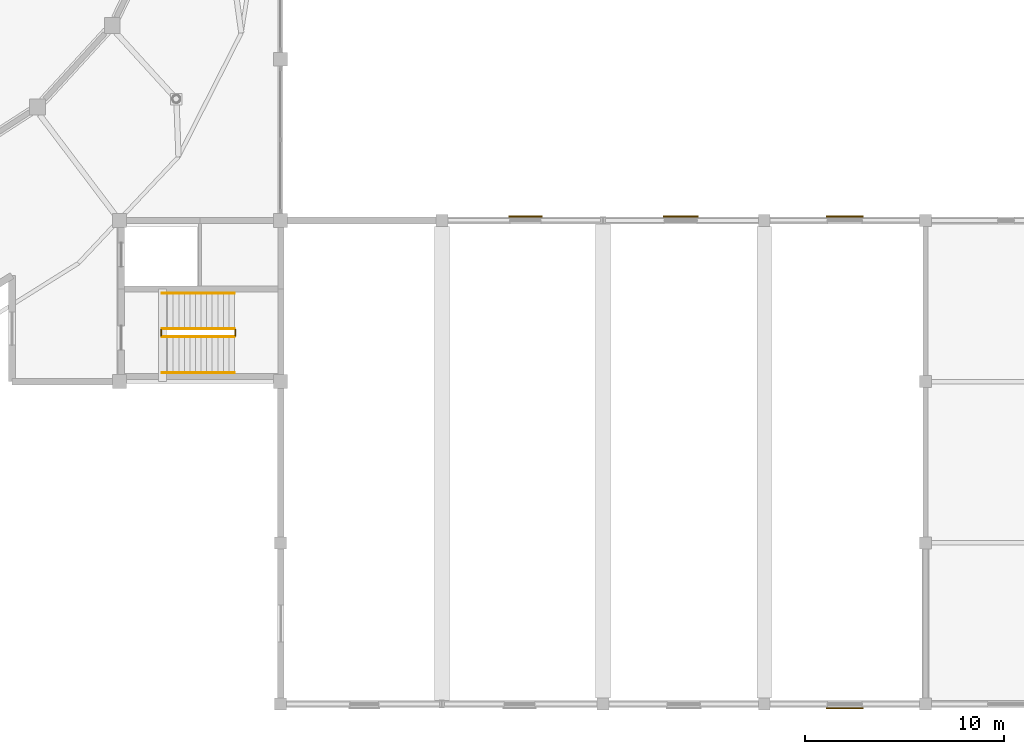
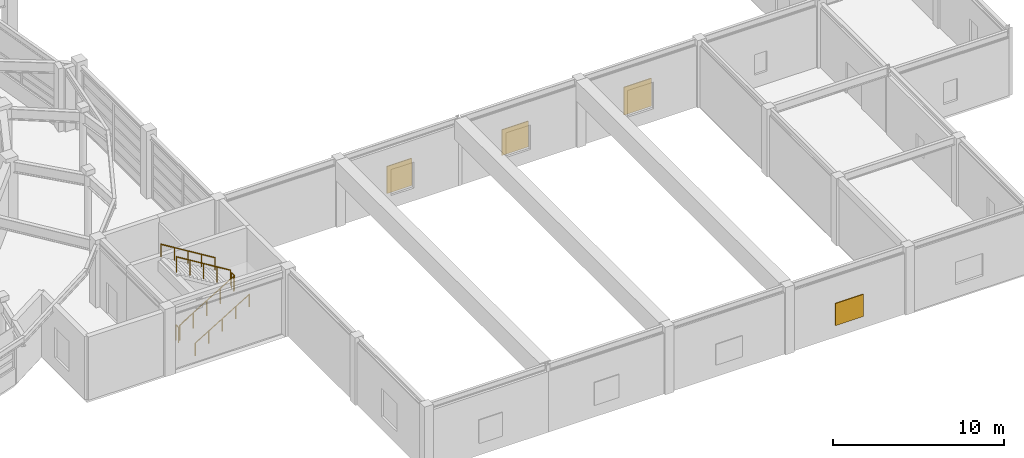
# One storey, part 51 of 58: 6 railings, 4 shading devices.
"""IFC4 building model written with IfcOpenShell, lengths in metres."""

from ifc_helpers import new_model, si_unit, direction, frame, origin, origin_2d, place, context, subcontext, project, spatial, rectangle, circle, extrude, material, layer, layer_set, type_object, element, save


model = new_model("IFC4")

# Units and contexts
model_context = context("Model", 3, precision=1e-05, world=origin(), true_north=direction((0.0, 1.0)))
body_context = subcontext(model_context, "Body", "Model", "MODEL_VIEW")
ifc_project = project(units=[si_unit("LENGTHUNIT", "METRE"), si_unit("AREAUNIT", "SQUARE_METRE"), si_unit("VOLUMEUNIT", "CUBIC_METRE"), si_unit("PLANEANGLEUNIT", "RADIAN"), si_unit("MASSUNIT", "GRAM", prefix="KILO")], contexts=[model_context])

# Site, building, storey
site_placement = place(None, origin())
site = spatial("IfcSite", under=ifc_project, at=site_placement, CompositionType="ELEMENT")
building_placement = place(site_placement, origin())
building = spatial("IfcBuilding", under=site, at=building_placement, Name="Parian Resonance Hall", CompositionType="ELEMENT")
storey_placement = place(building_placement, frame((0.0, 0.0, 10.199951171875)))
storey = spatial("IfcBuildingStorey", under=building, at=storey_placement, Name="L02", CompositionType="ELEMENT", Elevation=10.199951171875)

# Railings
ifc_material_1 = material(Name="Patinated bronze whiplash metalwork")
railing_type_1 = type_object("IfcRailingType", Name="RAIL-STAIR-GRD-1100", PredefinedType="GUARDRAIL", material=ifc_material_1)
railing_1_placement = place(storey_placement, frame((66.93994140625, 18.449951171875, 0.17138671875)))
element("IfcRailing", 1, at=railing_1_placement, inside=storey, type_object=railing_type_1, Name="L02 ST-03 stair guard 1", PredefinedType="GUARDRAIL", context=body_context, shape_type="SweptSolid", body=[
    extrude(circle(Radius=0.02392578125, at=origin_2d()), frame((0.0, 0.0, 1.076171875), z_axis=(0.852840387347, 0.0, 0.522171689878), x_axis=(0.0, 1.0, 0.0)), (0.0, 0.0, 1.0), 4.268310546875),
    extrude(circle(Radius=0.02099609375, at=origin_2d()), origin(), (0.0, 0.0, 1.0), 1.052001953125),
    extrude(circle(Radius=0.02099609375, at=origin_2d()), frame((0.91015625, 0.0, 0.55712890625)), (0.0, 0.0, 1.0), 1.052001953125),
    extrude(circle(Radius=0.02099609375, at=origin_2d()), frame((1.820068359375, 0.0, 1.1142578125)), (0.0, 0.0, 1.0), 1.052001953125),
    extrude(circle(Radius=0.02099609375, at=origin_2d()), frame((2.72998046875, 0.0, 1.671630859375)), (0.0, 0.0, 1.0), 1.052001953125),
    extrude(circle(Radius=0.02099609375, at=origin_2d()), frame((3.64013671875, 0.0, 2.228759765625)), (0.0, 0.0, 1.0), 1.052001953125),
])
railing_2_placement = place(storey_placement, frame((70.6298828125, 18.5, 2.400146484375)))
element("IfcRailing", 2, at=railing_2_placement, inside=storey, type_object=railing_type_1, Name="L02 ST-03 stair guard 2", PredefinedType="GUARDRAIL", context=body_context, shape_type="SweptSolid", body=[
    extrude(circle(Radius=0.02392578125, at=origin_2d()), frame((0.0, 0.0, 1.076171875), z_axis=(0.0, 1.0, 0.0), x_axis=(-1.0, 0.0, 0.0)), (0.0, 0.0, 1.0), 0.300048828125),
    extrude(circle(Radius=0.02099609375, at=origin_2d()), origin(), (0.0, 0.0, 1.0), 1.052001953125),
    extrude(circle(Radius=0.02099609375, at=origin_2d()), frame((0.0, 0.300048828125, 0.0)), (0.0, 0.0, 1.0), 1.052001953125),
])
railing_3_placement = place(storey_placement, frame((70.580078125, 18.85009765625, 2.571533203125)))
element("IfcRailing", 3, at=railing_3_placement, inside=storey, type_object=railing_type_1, Name="L02 ST-03 stair guard 3", PredefinedType="GUARDRAIL", context=body_context, shape_type="SweptSolid", body=[
    extrude(circle(Radius=0.02392578125, at=origin_2d()), frame((0.0, 0.0, 1.076171875), z_axis=(-0.852865859571, 0.0, 0.52213008492), x_axis=(0.0, -1.0, 0.0)), (0.0, 0.0, 1.0), 4.26806640625),
    extrude(circle(Radius=0.02099609375, at=origin_2d()), origin(), (0.0, 0.0, 1.0), 1.052001953125),
    extrude(circle(Radius=0.02099609375, at=origin_2d()), frame((-0.91015625, 0.0, 0.55712890625)), (0.0, 0.0, 1.0), 1.052001953125),
    extrude(circle(Radius=0.02099609375, at=origin_2d()), frame((-1.820068359375, 0.0, 1.1142578125)), (0.0, 0.0, 1.0), 1.052001953125),
    extrude(circle(Radius=0.02099609375, at=origin_2d()), frame((-2.72998046875, 0.0, 1.67138671875)), (0.0, 0.0, 1.0), 1.052001953125),
    extrude(circle(Radius=0.02099609375, at=origin_2d()), frame((-3.64013671875, 0.0, 2.228515625)), (0.0, 0.0, 1.0), 1.052001953125),
])
railing_4_placement = place(storey_placement, frame((66.889892578125, 18.5, 0.0)))
element("IfcRailing", 4, at=railing_4_placement, inside=storey, type_object=railing_type_1, Name="L02 ST-03 stair guard 4", PredefinedType="GUARDRAIL", context=body_context, shape_type="SweptSolid", body=[
    extrude(circle(Radius=0.02392578125, at=origin_2d()), frame((0.0, 0.0, 1.076171875), z_axis=(0.0, 1.0, 0.0), x_axis=(-1.0, 0.0, 0.0)), (0.0, 0.0, 1.0), 0.300048828125),
    extrude(circle(Radius=0.02099609375, at=origin_2d()), origin(), (0.0, 0.0, 1.0), 1.052001953125),
    extrude(circle(Radius=0.02099609375, at=origin_2d()), frame((0.0, 0.300048828125, 0.0)), (0.0, 0.0, 1.0), 1.052001953125),
])
ifc_material_2 = material(Name="Patinated bronze whiplash metalwork")
railing_type_2 = type_object("IfcRailingType", Name="RAIL-STAIR-HR-900", PredefinedType="HANDRAIL", material=ifc_material_2)
railing_5_placement = place(storey_placement, frame((66.93994140625, 16.64990234375, 0.17138671875)))
element("IfcRailing", 5, at=railing_5_placement, inside=storey, type_object=railing_type_2, Name="L02 ST-03 stair handrail 1", PredefinedType="HANDRAIL", context=body_context, shape_type="SweptSolid", body=[
    extrude(circle(Radius=0.02392578125, at=origin_2d()), frame((0.0, 0.0, 0.8759765625), z_axis=(0.852840387347, 0.0, 0.522171689878), x_axis=(0.0, 1.0, 0.0)), (0.0, 0.0, 1.0), 4.268310546875),
    extrude(circle(Radius=0.02099609375, at=origin_2d()), origin(), (0.0, 0.0, 1.0), 0.851806640625),
    extrude(circle(Radius=0.02099609375, at=origin_2d()), frame((0.91015625, 0.0, 0.55712890625)), (0.0, 0.0, 1.0), 0.851806640625),
    extrude(circle(Radius=0.02099609375, at=origin_2d()), frame((1.820068359375, 0.0, 1.1142578125)), (0.0, 0.0, 1.0), 0.851806640625),
    extrude(circle(Radius=0.02099609375, at=origin_2d()), frame((2.72998046875, 0.0, 1.671630859375)), (0.0, 0.0, 1.0), 0.851806640625),
    extrude(circle(Radius=0.02099609375, at=origin_2d()), frame((3.64013671875, 0.0, 2.228759765625)), (0.0, 0.0, 1.0), 0.851806640625),
])
railing_6_placement = place(storey_placement, frame((70.580078125, 20.64990234375, 2.571533203125)))
element("IfcRailing", 6, at=railing_6_placement, inside=storey, type_object=railing_type_2, Name="L02 ST-03 stair handrail 2", PredefinedType="HANDRAIL", context=body_context, shape_type="SweptSolid", body=[
    extrude(circle(Radius=0.02392578125, at=origin_2d()), frame((0.0, 0.0, 0.8759765625), z_axis=(-0.852865859571, 0.0, 0.52213008492), x_axis=(0.0, -1.0, 0.0)), (0.0, 0.0, 1.0), 4.26806640625),
    extrude(circle(Radius=0.02099609375, at=origin_2d()), origin(), (0.0, 0.0, 1.0), 0.851806640625),
    extrude(circle(Radius=0.02099609375, at=origin_2d()), frame((-0.91015625, 0.0, 0.55712890625)), (0.0, 0.0, 1.0), 0.851806640625),
    extrude(circle(Radius=0.02099609375, at=origin_2d()), frame((-1.820068359375, 0.0, 1.1142578125)), (0.0, 0.0, 1.0), 0.851806640625),
    extrude(circle(Radius=0.02099609375, at=origin_2d()), frame((-2.72998046875, 0.0, 1.67138671875)), (0.0, 0.0, 1.0), 0.851806640625),
    extrude(circle(Radius=0.02099609375, at=origin_2d()), frame((-3.64013671875, 0.0, 2.228515625)), (0.0, 0.0, 1.0), 0.851806640625),
])

# Shading devices
ifc_material_3 = material(Name="Patinated bronze persiana louver")
ifc_layer = layer(ifc_material_3, 0.06005859375)
ifc_layer_set = layer_set([ifc_layer], Name="Patinated bronze persiana louver")
shading_device_type = type_object("IfcShadingDeviceType", Name="SHD-PERSIANA-SHT", PredefinedType="SHUTTER", material=ifc_layer_set)
shading_device_1_placement = place(storey_placement, frame((85.199951171875, 24.498046875, 0.85986328125), z_axis=(0.0, 0.0, 1.0), x_axis=(1.0, 0.0, 0.0)))
element("IfcShadingDevice", 7, at=shading_device_1_placement, inside=storey, type_object=shading_device_type, Name="Bronze operable persiana shutter L02-024", PredefinedType="SHUTTER", context=body_context, shape_type="SweptSolid", body=[
    extrude(rectangle(XDim=1.669921875, YDim=0.06005859375, at=origin_2d()), origin(), (0.0, 0.0, 1.0), 1.929931640625),
])
shading_device_2_placement = place(storey_placement, frame((93.0, 24.498046875, 0.860107421875), z_axis=(0.0, 0.0, 1.0), x_axis=(1.0, 0.0, 0.0)))
element("IfcShadingDevice", 8, at=shading_device_2_placement, inside=storey, type_object=shading_device_type, Name="Bronze operable persiana shutter L02-028", PredefinedType="SHUTTER", context=body_context, shape_type="SweptSolid", body=[
    extrude(rectangle(XDim=1.77001953125, YDim=0.06005859375, at=origin_2d()), origin(), (0.0, 0.0, 1.0), 1.830078125),
])
shading_device_3_placement = place(storey_placement, frame((101.25, -0.2080078125, 0.860107421875), z_axis=(0.0, 0.0, 1.0), x_axis=(-1.0, 0.0, 0.0)))
element("IfcShadingDevice", 9, at=shading_device_3_placement, inside=storey, type_object=shading_device_type, Name="Bronze operable persiana shutter L02-030", PredefinedType="SHUTTER", context=body_context, shape_type="SweptSolid", body=[
    extrude(rectangle(XDim=1.8701171875, YDim=0.06005859375, at=origin_2d()), origin(), (0.0, 0.0, 1.0), 1.580078125),
])
shading_device_4_placement = place(storey_placement, frame((101.25, 24.498046875, 0.860107421875), z_axis=(0.0, 0.0, 1.0), x_axis=(1.0, 0.0, 0.0)))
element("IfcShadingDevice", 10, at=shading_device_4_placement, inside=storey, type_object=shading_device_type, Name="Bronze operable persiana shutter L02-031", PredefinedType="SHUTTER", context=body_context, shape_type="SweptSolid", body=[
    extrude(rectangle(XDim=1.8701171875, YDim=0.06005859375, at=origin_2d()), origin(), (0.0, 0.0, 1.0), 1.97998046875),
])

save(model, "model.ifc")
